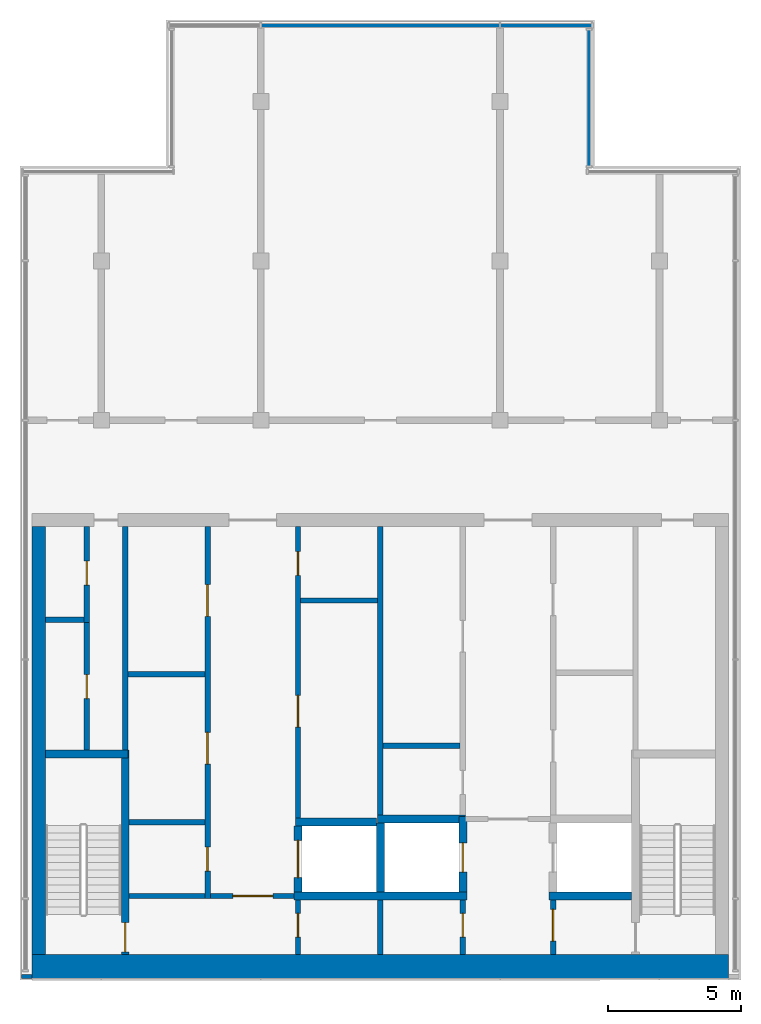
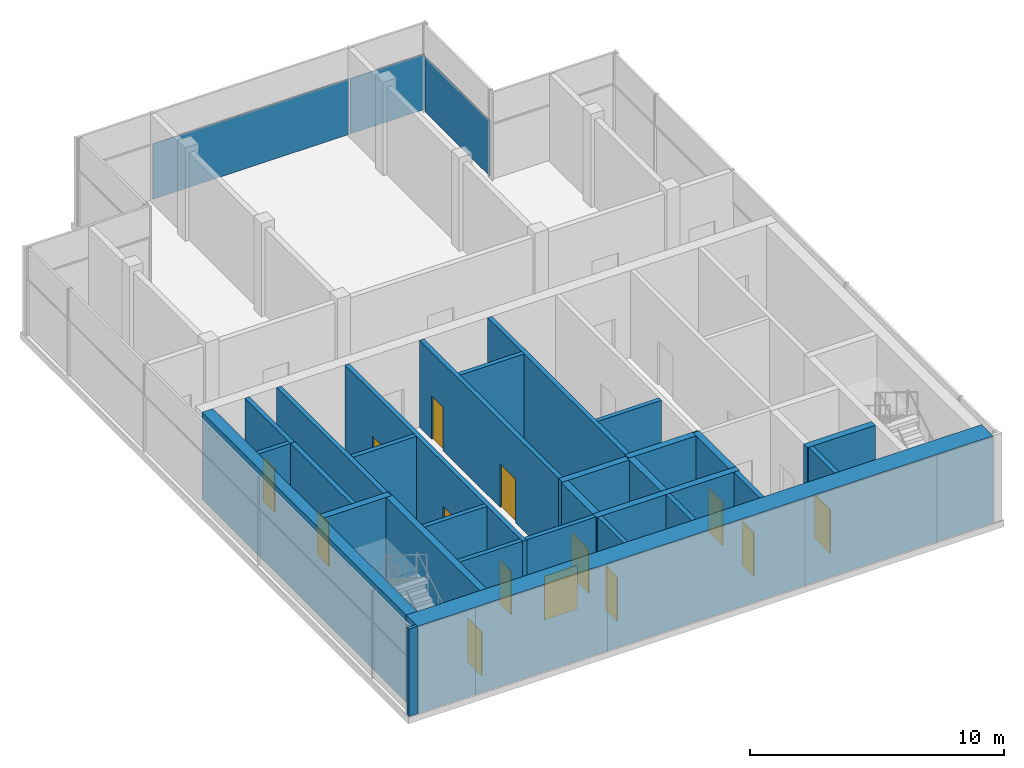
# One storey, part 2 of 5: 29 walls, 14 doors, 3 plates, 14 openings, 2 elements without a shape of their own.
"""IFC4 building model written with IfcOpenShell, lengths in metres."""

import ifcopenshell
import ifcopenshell.guid

model = None  # the IFC model being written
_history = None  # IfcOwnerHistory: only IFC2X3 demands one
_inside = {}  # id of a spatial element -> (the spatial element, [elements in it])
_under = {}  # id of a project, library or spatial element -> (it, [spatial elements below it])
_declared = {}  # id of a project -> (the project, [libraries it declares])
_typed = {}  # id of a type object -> (the type object, [elements of that type])
_made_of = {}  # id of a material, layer set ... -> (it, [elements and type objects made of it])


def new_model(schema):
    """Start an empty IFC model of exactly this schema.

    Asked for "IFC4X3", IfcOpenShell would pick the latest addendum, in which some entities
    have other attributes; the version numbers below select the first issue.
    IFC2X3 requires an IfcOwnerHistory on every rooted entity: one is made here for all.
    """
    global model, _history
    if schema == "IFC4X3":
        model = ifcopenshell.file(schema_version=(4, 3, 0, 0))
    else:
        model = ifcopenshell.file(schema=schema)
    _inside.clear()
    _under.clear()
    _declared.clear()
    _typed.clear()
    _made_of.clear()
    _history = None
    if model.schema == "IFC2X3":
        org = make("IfcOrganization", Name="unknown")
        user = make(
            "IfcPersonAndOrganization",
            ThePerson=make("IfcPerson", FamilyName="unknown"),
            TheOrganization=org,
        )
        app = make(
            "IfcApplication",
            ApplicationDeveloper=org,
            Version="unknown",
            ApplicationFullName="unknown",
            ApplicationIdentifier="unknown",
        )
        _history = make(
            "IfcOwnerHistory",
            OwningUser=user,
            OwningApplication=app,
            ChangeAction="ADDED",
            CreationDate=0,
        )
    return model


def make(cls, **values):
    """One entity of the class cls with the attributes given. An attribute that is None is left unset."""
    return model.create_entity(
        cls, **{name: value for name, value in values.items() if value is not None}
    )


def rooted(cls, **values):
    """An entity with a GlobalId (a new one), such as an element, a storey or a relation."""
    return make(cls, GlobalId=ifcopenshell.guid.new(), OwnerHistory=_history, **values)


def si_unit(unit_type, name, prefix=None):
    """IfcSIUnit, for example si_unit("LENGTHUNIT", "METRE", prefix="MILLI")."""
    return make("IfcSIUnit", UnitType=unit_type, Prefix=prefix, Name=name)


def assignment(units):
    """IfcUnitAssignment: the units of a project."""
    return None if units is None else make("IfcUnitAssignment", Units=units)


def point(xyz):
    """IfcCartesianPoint."""
    return None if xyz is None else make("IfcCartesianPoint", Coordinates=xyz)


def direction(xyz):
    """IfcDirection."""
    return None if xyz is None else make("IfcDirection", DirectionRatios=xyz)


def frame(location, z_axis=None, x_axis=None):
    """IfcAxis2Placement3D, a coordinate frame: its origin and axes. An axis left out is left unset."""
    return make(
        "IfcAxis2Placement3D",
        Location=point(location),
        Axis=direction(z_axis),
        RefDirection=direction(x_axis),
    )


def frame_2d(location, x_axis=None):
    """IfcAxis2Placement2D, a coordinate frame in the plane: its origin and x axis."""
    return make(
        "IfcAxis2Placement2D", Location=point(location), RefDirection=direction(x_axis)
    )


def origin():
    """The frame at (0, 0, 0) with its axes left unset."""
    return frame((0.0, 0.0, 0.0))


def origin_2d():
    """The frame at (0, 0) in the plane with its x axis left unset."""
    return frame_2d((0.0, 0.0))


def place(relative_to, where):
    """IfcLocalPlacement: puts the frame where relative to a parent placement (None: the world)."""
    return make(
        "IfcLocalPlacement", PlacementRelTo=relative_to, RelativePlacement=where
    )


def context(
    kind, dimensions, precision=None, world=None, true_north=None, identifier=None
):
    """IfcGeometricRepresentationContext, for example the 3D "Model" context."""
    return make(
        "IfcGeometricRepresentationContext",
        ContextIdentifier=identifier,
        ContextType=kind,
        CoordinateSpaceDimension=dimensions,
        Precision=precision,
        WorldCoordinateSystem=world,
        TrueNorth=true_north,
    )


def subcontext(parent, identifier, kind, view, scale=None):
    """IfcGeometricRepresentationSubContext, for example "Body" below "Model"."""
    return make(
        "IfcGeometricRepresentationSubContext",
        ContextIdentifier=identifier,
        ContextType=kind,
        ParentContext=parent,
        TargetScale=scale,
        TargetView=view,
    )


def project(units=None, contexts=None):
    """IfcProject with its units and contexts."""
    return rooted(
        "IfcProject",
        Name="project",
        RepresentationContexts=contexts,
        UnitsInContext=assignment(units),
    )


def spatial(cls, under=None, at=None, **own):
    """A site, building, storey or space (cls), placed at a placement, below another one or the project."""
    s = rooted(cls, ObjectPlacement=at, **own)
    if under is not None:
        _under.setdefault(under.id(), (under, []))[1].append(s)
    return s


def profile(cls, at=None, kind="AREA", **sizes):
    """A parametric profile (cls). Its sizes go by their IFC names, for example OverallWidth=200.0."""
    return make(cls, ProfileType=kind, Position=at, **sizes)


def rectangle(**sizes):
    """IfcRectangleProfileDef."""
    return profile("IfcRectangleProfileDef", **sizes)


def extrude(swept, where, along, depth):
    """IfcExtrudedAreaSolid: the profile swept, set in the frame where, extruded along a direction by depth."""
    return make(
        "IfcExtrudedAreaSolid",
        SweptArea=swept,
        Position=where,
        ExtrudedDirection=direction(along),
        Depth=depth,
    )


def shape(context_of_items, identifier, shape_type, items):
    """IfcShapeRepresentation: the items that make up one representation, for example the "Body"."""
    return make(
        "IfcShapeRepresentation",
        ContextOfItems=context_of_items,
        RepresentationIdentifier=identifier,
        RepresentationType=shape_type,
        Items=items,
    )


def material(Name=None, Category=None):
    """IfcMaterial."""
    return make("IfcMaterial", Name=Name, Category=Category)


def layer(
    of_material, thickness, ventilated=None, Name=None, Category=None, Priority=None
):
    """IfcMaterialLayer: one layer of a wall or slab, of a material (None: an air gap)."""
    return make(
        "IfcMaterialLayer",
        Material=of_material,
        LayerThickness=thickness,
        IsVentilated=ventilated,
        Name=Name,
        Category=Category,
        Priority=Priority,
    )


def layer_set(layers, Name=None):
    """IfcMaterialLayerSet."""
    return make("IfcMaterialLayerSet", MaterialLayers=layers, LayerSetName=Name)


def made_of(thing, what):
    """Note that an element or type object is made of a material, layer set ...; save() writes the relation."""
    if what is not None:
        _made_of.setdefault(what.id(), (what, []))[1].append(thing)
    return thing


def type_object(cls, material=None, **own):
    """A type object (cls), such as IfcWallType, which elements share."""
    return made_of(rooted(cls, **own), material)


def element(
    cls,
    number,
    at=None,
    inside=None,
    cuts=None,
    type_object=None,
    material=None,
    context=None,
    identifier="Body",
    shape_type=None,
    held_by="IfcProductDefinitionShape",
    body=None,
    shapes=None,
    **own,
):
    """One element of the class cls, such as IfcWall. Its Tag is "e" and its number.

    at: its placement. inside: the storey or other place that contains it. cuts: it is an
    opening in that element (IfcRelVoidsElement). A single representation is given by context,
    identifier, shape_type and body (its items); several are given by shapes. held_by: the class
    of the entity that holds the representations. save() writes the other relations.
    """
    e = rooted(cls, Tag="e%d" % number, ObjectPlacement=at, **own)
    if body is not None:
        shapes = [shape(context, identifier, shape_type, body)]
    if shapes is not None:
        e.Representation = make(held_by, Representations=shapes)
    if inside is not None:
        _inside.setdefault(inside.id(), (inside, []))[1].append(e)
    if cuts is not None:
        rooted(
            "IfcRelVoidsElement", RelatingBuildingElement=cuts, RelatedOpeningElement=e
        )
    if type_object is not None:
        _typed.setdefault(type_object.id(), (type_object, []))[1].append(e)
    return made_of(e, material)


def fill(opening, filler):
    """IfcRelFillsElement: the door or window that sits in an opening."""
    return rooted(
        "IfcRelFillsElement",
        RelatingOpeningElement=opening,
        RelatedBuildingElement=filler,
    )


def aggregate(whole, parts):
    """IfcRelAggregates: a whole, such as a stair, and the parts it consists of."""
    return rooted("IfcRelAggregates", RelatingObject=whole, RelatedObjects=parts)


def save(model, path):
    """Write the relations noted so far, then the file.

    IfcRelAggregates (storeys below a building ...), IfcRelContainedInSpatialStructure (elements
    in a storey), IfcRelDefinesByType, IfcRelAssociatesMaterial and IfcRelDeclares: one each for
    every whole, place, type object, material and project.
    """
    for whole, parts in _under.values():
        aggregate(whole, parts)
    for where, things in _inside.values():
        rooted(
            "IfcRelContainedInSpatialStructure",
            RelatedElements=things,
            RelatingStructure=where,
        )
    for kind, things in _typed.values():
        rooted("IfcRelDefinesByType", RelatedObjects=things, RelatingType=kind)
    for what, things in _made_of.values():
        rooted("IfcRelAssociatesMaterial", RelatedObjects=things, RelatingMaterial=what)
    for by, libraries in _declared.values():
        rooted("IfcRelDeclares", RelatingContext=by, RelatedDefinitions=libraries)
    model.write(path)


model = new_model("IFC4")

# Units and contexts
model_context = context("Model", 3, precision=1e-05, world=origin(), true_north=direction((0.0, 1.0)))
body_context = subcontext(model_context, "Body", "Model", "MODEL_VIEW")
ifc_project = project(units=[si_unit("LENGTHUNIT", "METRE"), si_unit("AREAUNIT", "SQUARE_METRE"), si_unit("VOLUMEUNIT", "CUBIC_METRE"), si_unit("PLANEANGLEUNIT", "RADIAN"), si_unit("MASSUNIT", "GRAM", prefix="KILO")], contexts=[model_context])

# Site, building, storey
site_placement = place(None, origin())
site = spatial("IfcSite", under=ifc_project, at=site_placement, CompositionType="ELEMENT")
building_placement = place(site_placement, origin())
building = spatial("IfcBuilding", under=site, at=building_placement, Name="Finial Court Residences", CompositionType="ELEMENT")
storey_placement = place(building_placement, frame((0.0, 0.0, 316.699951171875)))
storey = spatial("IfcBuildingStorey", under=building, at=storey_placement, Name="L80", CompositionType="ELEMENT", Elevation=316.699951171875)

# Curtain wall, plates
ifc_material_1 = material(Name="Bronze anodised aluminium", Category="aluminium")
curtain_wall_type = type_object("IfcCurtainWallType", Name="Crown lantern glazing", PredefinedType="NOTDEFINED", material=ifc_material_1)
curtain_wall_1_placement = place(storey_placement, origin())
curtain_wall_1 = element("IfcCurtainWall", 1, at=curtain_wall_1_placement, inside=storey, type_object=curtain_wall_type, Name="E-L80-CW-N3", PredefinedType="NOTDEFINED")
ifc_material_2 = material(Name="Clear low-e glass", Category="glass")
ifc_layer_1 = layer(ifc_material_2, 0.031982421875)
ifc_layer_set_1 = layer_set([ifc_layer_1], Name="CW6 vision glass 32")
plate_type = type_object("IfcPlateType", Name="CW6 vision glass 32", PredefinedType="CURTAIN_PANEL", material=ifc_layer_set_1)
plate_1_placement = place(storey_placement, frame((0.0, 10.35009765625, 0.0), z_axis=(0.0, 0.0, 1.0), x_axis=(1.0, 0.0, 0.0)))
plate_1 = element("IfcPlate", 2, at=plate_1_placement, type_object=plate_type, Name="CW6 glass 2.1", PredefinedType="CURTAIN_PANEL", context=body_context, shape_type="SweptSolid", body=[
    extrude(rectangle(XDim=8.929931640625, YDim=0.031982421875, at=origin_2d()), origin(), (0.0, 0.0, 1.0), 2.6650390625),
])
plate_2_placement = place(storey_placement, frame((6.232421875, 10.35009765625, 0.0), z_axis=(0.0, 0.0, 1.0), x_axis=(1.0, 0.0, 0.0)))
plate_2 = element("IfcPlate", 3, at=plate_2_placement, type_object=plate_type, Name="CW6 glass 3.1", PredefinedType="CURTAIN_PANEL", context=body_context, shape_type="SweptSolid", body=[
    extrude(rectangle(XDim=3.39501953125, YDim=0.031982421875, at=origin_2d()), origin(), (0.0, 0.0, 1.0), 2.6650390625),
])
aggregate(curtain_wall_1, [plate_1, plate_2])

# Curtain wall, plate
curtain_wall_2_placement = place(storey_placement, origin())
curtain_wall_2 = element("IfcCurtainWall", 4, at=curtain_wall_2_placement, inside=storey, type_object=curtain_wall_type, Name="E-L80-CW-E8n", PredefinedType="NOTDEFINED")
plate_3_placement = place(storey_placement, frame((7.85009765625, 7.625, 0.0), z_axis=(0.0, 0.0, 1.0), x_axis=(0.0, 1.0, 0.0)))
plate_3 = element("IfcPlate", 5, at=plate_3_placement, type_object=plate_type, Name="CW6 glass 1.1", PredefinedType="CURTAIN_PANEL", context=body_context, shape_type="SweptSolid", body=[
    extrude(rectangle(XDim=5.110107421875, YDim=0.031982421875, at=origin_2d()), origin(), (0.0, 0.0, 1.0), 2.6650390625),
])
aggregate(curtain_wall_2, [plate_3])

# Walls
ifc_material_3 = material(Name="Concrete C50/60", Category="concrete")
ifc_layer_2 = layer(ifc_material_3, 0.5)
ifc_layer_set_2 = layer_set([ifc_layer_2], Name="Core outer wall 500 Concrete C50/60")
wall_type_1 = type_object("IfcWallType", Name="Core outer wall 500 Concrete C50/60", PredefinedType="SHEAR", material=ifc_layer_set_2)
wall_1_placement = place(storey_placement, frame((-12.85009765625, -24.60009765625, 0.0), z_axis=(0.0, 0.0, 1.0), x_axis=(0.0, 1.0, 0.0)))
element("IfcWall", 6, at=wall_1_placement, inside=storey, type_object=wall_type_1, Name="Core outer wall L80-03", PredefinedType="SHEAR", context=body_context, shape_type="SweptSolid", body=[
    extrude(rectangle(XDim=16.10009765625, YDim=0.5, at=frame_2d((8.050048828125, 0.0))), origin(), (0.0, 0.0, 1.0), 4.199951171875),
])
ifc_layer_3 = layer(ifc_material_3, 0.89990234375)
ifc_layer_set_3 = layer_set([ifc_layer_3], Name="Core south facade wall 900 Concrete C50/60")
wall_type_2 = type_object("IfcWallType", Name="Core south facade wall 900 Concrete C50/60", PredefinedType="SHEAR", material=ifc_layer_set_3)
wall_2_placement = place(storey_placement, frame((-13.10009765625, -25.050048828125, 0.0), z_axis=(0.0, 0.0, 1.0), x_axis=(1.0, 0.0, 0.0)))
element("IfcWall", 7, at=wall_2_placement, inside=storey, type_object=wall_type_2, Name="Core outer wall L80-01", PredefinedType="SHEAR", context=body_context, shape_type="SweptSolid", body=[
    extrude(rectangle(XDim=26.2001953125, YDim=0.89990234375, at=frame_2d((13.10009765625, 0.0))), origin(), (0.0, 0.0, 1.0), 4.199951171875),
])

# Wall, opening, door
ifc_material_4 = material(Name="Fire-rated gypsum board partition")
ifc_layer_4 = layer(ifc_material_4, 0.199951171875)
ifc_layer_set_4 = layer_set([ifc_layer_4], Name="Firefighting lobby wall 200 EI 120")
wall_type_3 = type_object("IfcWallType", Name="Firefighting lobby wall 200 EI 120", PredefinedType="PARTITIONING", material=ifc_layer_set_4)
wall_3_placement = place(storey_placement, frame((3.10009765625, -24.60009765625, 0.0), z_axis=(0.0, 0.0, 1.0), x_axis=(0.0, 1.0, 0.0)))
wall_3 = element("IfcWall", 8, at=wall_3_placement, inside=storey, type_object=wall_type_3, Name="Core partition L80-28", PredefinedType="PARTITIONING", context=body_context, shape_type="SweptSolid", body=[
    extrude(rectangle(XDim=2.050048828125, YDim=0.199951171875, at=frame_2d((1.02490234375, 0.0))), origin(), (0.0, 0.0, 1.0), 4.199951171875),
])
opening_1_placement = place(wall_3_placement, frame((0.64990234375, 0.0, 0.0)))
opening_1 = element("IfcOpeningElement", 9, at=opening_1_placement, cuts=wall_3, Name="Opening L80-C18", PredefinedType="OPENING", context=body_context, shape_type="SweptSolid", body=[
    extrude(rectangle(XDim=0.89990234375, YDim=2.10009765625, at=frame_2d((0.449951171875, 1.050048828125))), frame((0.0, 0.10986328125, 0.0), z_axis=(0.0, -1.0, 0.0), x_axis=(1.0, 0.0, 0.0)), (0.0, 0.0, 1.0), 0.219970703125),
])
ifc_material_5 = material(Name="Steel fire door", Category="steel")
door_type_1 = type_object("IfcDoorType", Name="Riser room door 900 x 2100 EI 90", OperationType="NOTDEFINED", PredefinedType="DOOR", material=ifc_material_5)
door_1_placement = place(opening_1_placement, origin())
door_1 = element("IfcDoor", 10, at=door_1_placement, inside=storey, type_object=door_type_1, Name="Riser room door L80-C18", OperationType="SINGLE_SWING_LEFT", OverallHeight=2.10009765625, OverallWidth=0.89990234375, PredefinedType="DOOR", context=body_context, shape_type="SweptSolid", body=[
    extrude(rectangle(XDim=0.89990234375, YDim=2.10009765625, at=frame_2d((0.449951171875, 1.050048828125))), frame((0.0, 0.02490234375, 0.0), z_axis=(0.0, -1.0, 0.0), x_axis=(1.0, 0.0, 0.0)), (0.0, 0.0, 1.0), 0.050048828125),
])
fill(opening_1, door_1)

wall_4_placement = place(storey_placement, frame((6.5, -22.550048828125, 0.0), z_axis=(0.0, 0.0, 1.0), x_axis=(0.0, -1.0, 0.0)))
wall_4 = element("IfcWall", 11, at=wall_4_placement, inside=storey, type_object=wall_type_3, Name="Core partition L80-31", PredefinedType="PARTITIONING", context=body_context, shape_type="SweptSolid", body=[
    extrude(rectangle(XDim=2.050048828125, YDim=0.199951171875, at=frame_2d((1.02490234375, 0.0))), origin(), (0.0, 0.0, 1.0), 4.199951171875),
])
opening_2_placement = place(wall_4_placement, frame((0.35009765625, 0.0, 0.0)))
opening_2 = element("IfcOpeningElement", 12, at=opening_2_placement, cuts=wall_4, Name="Opening L80-C01", PredefinedType="OPENING", context=body_context, shape_type="SweptSolid", body=[
    extrude(rectangle(XDim=1.199951171875, YDim=2.10009765625, at=frame_2d((0.60009765625, 1.050048828125))), frame((0.0, 0.10986328125, 0.0), z_axis=(0.0, -1.0, 0.0), x_axis=(1.0, 0.0, 0.0)), (0.0, 0.0, 1.0), 0.219970703125),
])
door_type_2 = type_object("IfcDoorType", Name="Firefighting lobby door 1200 x 2100 EI 90", OperationType="NOTDEFINED", PredefinedType="DOOR", material=ifc_material_5)
door_2_placement = place(opening_2_placement, origin())
door_2 = element("IfcDoor", 13, at=door_2_placement, inside=storey, type_object=door_type_2, Name="Firefighting lobby door L80-C01", OperationType="SINGLE_SWING_RIGHT", OverallHeight=2.10009765625, OverallWidth=1.199951171875, PredefinedType="DOOR", context=body_context, shape_type="SweptSolid", body=[
    extrude(rectangle(XDim=1.199951171875, YDim=2.10009765625, at=frame_2d((0.60009765625, 1.050048828125))), frame((0.0, 0.02490234375, 0.0), z_axis=(0.0, -1.0, 0.0), x_axis=(1.0, 0.0, 0.0)), (0.0, 0.0, 1.0), 0.050048828125),
])
fill(opening_2, door_2)

# Walls
ifc_layer_5 = layer(ifc_material_3, 0.300048828125)
ifc_layer_set_5 = layer_set([ifc_layer_5], Name="Lift shaft and stair wall 300 Concrete C50/60")
wall_type_4 = type_object("IfcWallType", Name="Lift shaft and stair wall 300 Concrete C50/60", PredefinedType="SHEAR", material=ifc_layer_set_5)
wall_5_placement = place(storey_placement, frame((-3.25, -22.39990234375, 0.0), z_axis=(0.0, 0.0, 1.0), x_axis=(1.0, 0.0, 0.0)))
element("IfcWall", 14, at=wall_5_placement, inside=storey, type_object=wall_type_4, Name="Core wall L80-03", PredefinedType="SHEAR", context=body_context, shape_type="SweptSolid", body=[
    extrude(rectangle(XDim=6.5, YDim=0.300048828125, at=frame_2d((3.25, 0.0))), origin(), (0.0, 0.0, 1.0), 4.199951171875),
])
wall_6_placement = place(storey_placement, frame((6.35009765625, -22.39990234375, 0.0), z_axis=(0.0, 0.0, 1.0), x_axis=(1.0, 0.0, 0.0)))
element("IfcWall", 15, at=wall_6_placement, inside=storey, type_object=wall_type_4, Name="Core wall L80-04", PredefinedType="SHEAR", context=body_context, shape_type="SweptSolid", body=[
    extrude(rectangle(XDim=3.099853515625, YDim=0.300048828125, at=frame_2d((1.5498046875, 0.0))), origin(), (0.0, 0.0, 1.0), 4.199951171875),
])
wall_7_placement = place(storey_placement, frame((-3.199951171875, -19.6201171875, 0.0), z_axis=(0.0, 0.0, 1.0), x_axis=(1.0, 0.0, 0.0)))
element("IfcWall", 16, at=wall_7_placement, inside=storey, type_object=wall_type_4, Name="Core wall L80-06", PredefinedType="SHEAR", context=body_context, shape_type="SweptSolid", body=[
    extrude(rectangle(XDim=3.050048828125, YDim=0.300048828125, at=frame_2d((1.52490234375, 0.0))), origin(), (0.0, 0.0, 1.0), 4.199951171875),
])
wall_8_placement = place(storey_placement, frame((-0.10009765625, -19.5, 0.0), z_axis=(0.0, 0.0, 1.0), x_axis=(1.0, 0.0, 0.0)))
element("IfcWall", 17, at=wall_8_placement, inside=storey, type_object=wall_type_4, Name="Core wall L80-07", PredefinedType="SHEAR", context=body_context, shape_type="SweptSolid", body=[
    extrude(rectangle(XDim=3.300048828125, YDim=0.300048828125, at=frame_2d((1.64990234375, 0.0))), origin(), (0.0, 0.0, 1.0), 4.199951171875),
])
wall_9_placement = place(storey_placement, frame((-12.60009765625, -17.050048828125, 0.0), z_axis=(0.0, 0.0, 1.0), x_axis=(1.0, 0.0, 0.0)))
element("IfcWall", 18, at=wall_9_placement, inside=storey, type_object=wall_type_4, Name="Core wall L80-10", PredefinedType="SHEAR", context=body_context, shape_type="SweptSolid", body=[
    extrude(rectangle(XDim=3.10009765625, YDim=0.300048828125, at=frame_2d((1.550048828125, 0.0))), origin(), (0.0, 0.0, 1.0), 4.199951171875),
])

# Wall, opening, door
wall_10_placement = place(storey_placement, frame((-9.60009765625, -24.60009765625, 0.0), z_axis=(0.0, 0.0, 1.0), x_axis=(0.0, 1.0, 0.0)))
wall_10 = element("IfcWall", 19, at=wall_10_placement, inside=storey, type_object=wall_type_4, Name="Core wall L80-19", PredefinedType="SHEAR", context=body_context, shape_type="SweptSolid", body=[
    extrude(rectangle(XDim=7.7001953125, YDim=0.300048828125, at=frame_2d((3.85009765625, 0.0))), origin(), (0.0, 0.0, 1.0), 4.199951171875),
])
opening_3_placement = place(wall_10_placement, frame((0.10009765625, 0.0, 0.0)))
opening_3 = element("IfcOpeningElement", 20, at=opening_3_placement, cuts=wall_10, Name="Opening L80-C21", PredefinedType="OPENING", context=body_context, shape_type="SweptSolid", body=[
    extrude(rectangle(XDim=1.10009765625, YDim=2.10009765625, at=frame_2d((0.550048828125, 1.050048828125))), frame((0.0, 0.159912109375, 0.0), z_axis=(0.0, -1.0, 0.0), x_axis=(1.0, 0.0, 0.0)), (0.0, 0.0, 1.0), 0.320068359375),
])
door_type_3 = type_object("IfcDoorType", Name="Stair door 1100 x 2100 EI 90", OperationType="NOTDEFINED", PredefinedType="DOOR", material=ifc_material_5)
door_3_placement = place(opening_3_placement, origin())
door_3 = element("IfcDoor", 21, at=door_3_placement, inside=storey, type_object=door_type_3, Name="Stair door L80-C21", OperationType="SINGLE_SWING_LEFT", OverallHeight=2.10009765625, OverallWidth=1.10009765625, PredefinedType="DOOR", context=body_context, shape_type="SweptSolid", body=[
    extrude(rectangle(XDim=1.10009765625, YDim=2.10009765625, at=frame_2d((0.550048828125, 1.050048828125))), frame((0.0, 0.02490234375, 0.0), z_axis=(0.0, -1.0, 0.0), x_axis=(1.0, 0.0, 0.0)), (0.0, 0.0, 1.0), 0.050048828125),
])
fill(opening_3, door_3)

wall_11_placement = place(storey_placement, frame((-3.10009765625, -22.25, 0.0), z_axis=(0.0, 0.0, 1.0), x_axis=(0.0, 1.0, 0.0)))
wall_11 = element("IfcWall", 22, at=wall_11_placement, inside=storey, type_object=wall_type_4, Name="Core wall L80-23", PredefinedType="SHEAR", context=body_context, shape_type="SweptSolid", body=[
    extrude(rectangle(XDim=2.47998046875, YDim=0.300048828125, at=frame_2d((1.239990234375, 0.0))), origin(), (0.0, 0.0, 1.0), 4.199951171875),
])
opening_4_placement = place(wall_11_placement, frame((0.5400390625, 0.0, 0.0)))
opening_4 = element("IfcOpeningElement", 23, at=opening_4_placement, cuts=wall_11, Name="Opening L80-LD03", PredefinedType="OPENING", context=body_context, shape_type="SweptSolid", body=[
    extrude(rectangle(XDim=1.39990234375, YDim=2.10009765625, at=frame_2d((0.699951171875, 1.050048828125))), frame((0.0, 0.159912109375, 0.0), z_axis=(0.0, -1.0, 0.0), x_axis=(1.0, 0.0, 0.0)), (0.0, 0.0, 1.0), 0.320068359375),
])
ifc_material_6 = material(Name="Stainless steel lift door", Category="steel")
door_type_4 = type_object("IfcDoorType", Name="Lift landing door 1400 x 2100 EI 90", OperationType="DOUBLE_DOOR_SLIDING", PredefinedType="DOOR", material=ifc_material_6)
door_4_placement = place(opening_4_placement, origin())
door_4 = element("IfcDoor", 24, at=door_4_placement, inside=storey, type_object=door_type_4, Name="Lift landing door SV1 L80", OperationType="DOUBLE_DOOR_SLIDING", OverallHeight=2.10009765625, OverallWidth=1.39990234375, PredefinedType="DOOR", context=body_context, shape_type="SweptSolid", body=[
    extrude(rectangle(XDim=1.39990234375, YDim=2.10009765625, at=frame_2d((0.699951171875, 1.050048828125))), frame((0.0, 0.02490234375, 0.0), z_axis=(0.0, -1.0, 0.0), x_axis=(1.0, 0.0, 0.0)), (0.0, 0.0, 1.0), 0.050048828125),
])
fill(opening_4, door_4)

# Wall
wall_12_placement = place(storey_placement, frame((0.0, -22.25, 0.0), z_axis=(0.0, 0.0, 1.0), x_axis=(0.0, 1.0, 0.0)))
element("IfcWall", 25, at=wall_12_placement, inside=storey, type_object=wall_type_4, Name="Core wall L80-26", PredefinedType="SHEAR", context=body_context, shape_type="SweptSolid", body=[
    extrude(rectangle(XDim=2.60009765625, YDim=0.300048828125, at=frame_2d((1.300048828125, 0.0))), origin(), (0.0, 0.0, 1.0), 4.199951171875),
])

# Wall, opening, door
wall_13_placement = place(storey_placement, frame((3.10009765625, -22.25, 0.0), z_axis=(0.0, 0.0, 1.0), x_axis=(0.0, 1.0, 0.0)))
wall_13 = element("IfcWall", 26, at=wall_13_placement, inside=storey, type_object=wall_type_4, Name="Core wall L80-29", PredefinedType="SHEAR", context=body_context, shape_type="SweptSolid", body=[
    extrude(rectangle(XDim=2.85009765625, YDim=0.300048828125, at=frame_2d((1.425048828125, 0.0))), origin(), (0.0, 0.0, 1.0), 4.199951171875),
])
opening_5_placement = place(wall_13_placement, frame((0.75, 0.0, 0.0)))
opening_5 = element("IfcOpeningElement", 27, at=opening_5_placement, cuts=wall_13, Name="Opening L80-LD01", PredefinedType="OPENING", context=body_context, shape_type="SweptSolid", body=[
    extrude(rectangle(XDim=1.10009765625, YDim=2.10009765625, at=frame_2d((0.550048828125, 1.050048828125))), frame((0.0, 0.159912109375, 0.0), z_axis=(0.0, -1.0, 0.0), x_axis=(1.0, 0.0, 0.0)), (0.0, 0.0, 1.0), 0.320068359375),
])
door_type_5 = type_object("IfcDoorType", Name="Lift landing door 1100 x 2100 EI 90", OperationType="DOUBLE_DOOR_SLIDING", PredefinedType="DOOR", material=ifc_material_6)
door_5_placement = place(opening_5_placement, origin())
door_5 = element("IfcDoor", 28, at=door_5_placement, inside=storey, type_object=door_type_5, Name="Lift landing door FF1 L80", OperationType="DOUBLE_DOOR_SLIDING", OverallHeight=2.10009765625, OverallWidth=1.10009765625, PredefinedType="DOOR", context=body_context, shape_type="SweptSolid", body=[
    extrude(rectangle(XDim=1.10009765625, YDim=2.10009765625, at=frame_2d((0.550048828125, 1.050048828125))), frame((0.0, 0.02490234375, 0.0), z_axis=(0.0, -1.0, 0.0), x_axis=(1.0, 0.0, 0.0)), (0.0, 0.0, 1.0), 0.050048828125),
])
fill(opening_5, door_5)

# Walls
ifc_material_7 = material(Name="Natural limestone", Category="masonry")
ifc_layer_6 = layer(ifc_material_7, 0.14990234375)
ifc_layer_set_6 = layer_set([ifc_layer_6], Name="Limestone clad wall 150")
wall_type_5 = type_object("IfcWallType", Name="Limestone clad wall 150", PredefinedType="SOLIDWALL", material=ifc_layer_set_6)
wall_14_placement = place(storey_placement, frame((-13.10009765625, -25.425048828125, 0.0), z_axis=(0.0, 0.0, 1.0), x_axis=(-1.0, 0.0, 0.0)))
element("IfcWall", 29, at=wall_14_placement, inside=storey, type_object=wall_type_5, Name="E-L80-STUBS1", PredefinedType="SOLIDWALL", context=body_context, shape_type="SweptSolid", body=[
    extrude(rectangle(XDim=0.39990234375, YDim=0.14990234375, at=frame_2d((0.199951171875, 0.0))), origin(), (0.0, 0.0, 1.0), 4.199951171875),
])
ifc_layer_7 = layer(ifc_material_4, 0.199951171875)
ifc_layer_set_7 = layer_set([ifc_layer_7], Name="Riser room wall 200 EI 120")
wall_type_6 = type_object("IfcWallType", Name="Riser room wall 200 EI 120", PredefinedType="PARTITIONING", material=ifc_layer_set_7)
for number, where, z_axis, x_axis, name in (
    (30, (-9.449951171875, -22.39990234375, 0.0), (0.0, 0.0, 1.0), (1.0, 0.0, 0.0), "Core partition L80-01"),
    (31, (-9.449951171875, -19.6201171875, 0.0), (0.0, 0.0, 1.0), (1.0, 0.0, 0.0), "Core partition L80-05"),
):
    element("IfcWall", number, at=place(storey_placement, frame(where, z_axis=z_axis, x_axis=x_axis)), inside=storey, type_object=wall_type_6, Name=name, PredefinedType="PARTITIONING", context=body_context, shape_type="SweptSolid", body=[
        extrude(rectangle(XDim=2.849853515625, YDim=0.199951171875, at=frame_2d((1.4248046875, 0.0))), origin(), (0.0, 0.0, 1.0), 4.199951171875),
    ])
for number, where, z_axis, x_axis, name in (
    (32, (0.10009765625, -16.75, 0.0), (0.0, 0.0, 1.0), (1.0, 0.0, 0.0), "Core partition L80-12"),
    (33, (-9.5, -14.06005859375, 0.0), (0.0, 0.0, 1.0), (1.0, 0.0, 0.0), "Core partition L80-13"),
):
    element("IfcWall", number, at=place(storey_placement, frame(where, z_axis=z_axis, x_axis=x_axis)), inside=storey, type_object=wall_type_6, Name=name, PredefinedType="PARTITIONING", context=body_context, shape_type="SweptSolid", body=[
        extrude(rectangle(XDim=2.89990234375, YDim=0.199951171875, at=frame_2d((1.449951171875, 0.0))), origin(), (0.0, 0.0, 1.0), 4.199951171875),
    ])
wall_15_placement = place(storey_placement, frame((-12.60009765625, -12.0, 0.0), z_axis=(0.0, 0.0, 1.0), x_axis=(1.0, 0.0, 0.0)))
element("IfcWall", 34, at=wall_15_placement, inside=storey, type_object=wall_type_6, Name="Core partition L80-15", PredefinedType="PARTITIONING", context=body_context, shape_type="SweptSolid", body=[
    extrude(rectangle(XDim=1.4501953125, YDim=0.199951171875, at=frame_2d((0.72509765625, 0.0))), origin(), (0.0, 0.0, 1.0), 4.199951171875),
])
wall_16_placement = place(storey_placement, frame((-3.0, -11.280029296875, 0.0), z_axis=(0.0, 0.0, 1.0), x_axis=(1.0, 0.0, 0.0)))
element("IfcWall", 35, at=wall_16_placement, inside=storey, type_object=wall_type_6, Name="Core partition L80-16", PredefinedType="PARTITIONING", context=body_context, shape_type="SweptSolid", body=[
    extrude(rectangle(XDim=2.89990234375, YDim=0.199951171875, at=frame_2d((1.449951171875, 0.0))), origin(), (0.0, 0.0, 1.0), 4.199951171875),
])

# Wall, opening, door
wall_17_placement = place(storey_placement, frame((-11.050048828125, -12.10009765625, 0.0), z_axis=(0.0, 0.0, 1.0), x_axis=(0.0, 1.0, 0.0)))
wall_17 = element("IfcWall", 36, at=wall_17_placement, inside=storey, type_object=wall_type_6, Name="Core partition L80-18", PredefinedType="PARTITIONING", context=body_context, shape_type="SweptSolid", body=[
    extrude(rectangle(XDim=3.60009765625, YDim=0.199951171875, at=frame_2d((1.800048828125, 0.0))), origin(), (0.0, 0.0, 1.0), 4.199951171875),
])
opening_6_placement = place(wall_17_placement, frame((1.39990234375, 0.0, 0.0)))
opening_6 = element("IfcOpeningElement", 37, at=opening_6_placement, cuts=wall_17, Name="Opening L80-C06", PredefinedType="OPENING", context=body_context, shape_type="SweptSolid", body=[
    extrude(rectangle(XDim=0.89990234375, YDim=2.10009765625, at=frame_2d((0.449951171875, 1.050048828125))), frame((0.0, 0.10986328125, 0.0), z_axis=(0.0, -1.0, 0.0), x_axis=(1.0, 0.0, 0.0)), (0.0, 0.0, 1.0), 0.219970703125),
])
door_6_placement = place(opening_6_placement, origin())
door_6 = element("IfcDoor", 38, at=door_6_placement, inside=storey, type_object=door_type_1, Name="Riser room door L80-C06", OperationType="SINGLE_SWING_LEFT", OverallHeight=2.10009765625, OverallWidth=0.89990234375, PredefinedType="DOOR", context=body_context, shape_type="SweptSolid", body=[
    extrude(rectangle(XDim=0.89990234375, YDim=2.10009765625, at=frame_2d((0.449951171875, 1.050048828125))), frame((0.0, 0.02490234375, 0.0), z_axis=(0.0, -1.0, 0.0), x_axis=(1.0, 0.0, 0.0)), (0.0, 0.0, 1.0), 0.050048828125),
])
fill(opening_6, door_6)

# Wall
wall_18_placement = place(storey_placement, frame((-9.60009765625, -16.89990234375, 0.0), z_axis=(0.0, 0.0, 1.0), x_axis=(0.0, 1.0, 0.0)))
element("IfcWall", 39, at=wall_18_placement, inside=storey, type_object=wall_type_6, Name="Core partition L80-20", PredefinedType="PARTITIONING", context=body_context, shape_type="SweptSolid", body=[
    extrude(rectangle(XDim=8.39990234375, YDim=0.199951171875, at=frame_2d((4.199951171875, 0.0))), origin(), (0.0, 0.0, 1.0), 4.199951171875),
])

# Wall, openings, doors
wall_19_placement = place(storey_placement, frame((-6.5, -22.5, 0.0), z_axis=(0.0, 0.0, 1.0), x_axis=(0.0, 1.0, 0.0)))
wall_19 = element("IfcWall", 40, at=wall_19_placement, inside=storey, type_object=wall_type_6, Name="Core partition L80-21", PredefinedType="PARTITIONING", context=body_context, shape_type="SweptSolid", body=[
    extrude(rectangle(XDim=14.0, YDim=0.199951171875, at=frame_2d((7.0, 0.0))), origin(), (0.0, 0.0, 1.0), 4.199951171875),
])
opening_7_placement = place(wall_19_placement, frame((1.0400390625, 0.0, 0.0)))
opening_7 = element("IfcOpeningElement", 41, at=opening_7_placement, cuts=wall_19, Name="Opening L80-C07", PredefinedType="OPENING", context=body_context, shape_type="SweptSolid", body=[
    extrude(rectangle(XDim=0.89990234375, YDim=2.10009765625, at=frame_2d((0.449951171875, 1.050048828125))), frame((0.0, 0.10986328125, 0.0), z_axis=(0.0, -1.0, 0.0), x_axis=(1.0, 0.0, 0.0)), (0.0, 0.0, 1.0), 0.219970703125),
])
opening_8_placement = place(wall_19_placement, frame((5.06005859375, 0.0, 0.0)))
opening_8 = element("IfcOpeningElement", 42, at=opening_8_placement, cuts=wall_19, Name="Opening L80-C08", PredefinedType="OPENING", context=body_context, shape_type="SweptSolid", body=[
    extrude(rectangle(XDim=1.199951171875, YDim=2.10009765625, at=frame_2d((0.60009765625, 1.050048828125))), frame((0.0, 0.10986328125, 0.0), z_axis=(0.0, -1.0, 0.0), x_axis=(1.0, 0.0, 0.0)), (0.0, 0.0, 1.0), 0.219970703125),
])
opening_9_placement = place(wall_19_placement, frame((10.6201171875, 0.0, 0.0)))
opening_9 = element("IfcOpeningElement", 43, at=opening_9_placement, cuts=wall_19, Name="Opening L80-C09", PredefinedType="OPENING", context=body_context, shape_type="SweptSolid", body=[
    extrude(rectangle(XDim=1.199951171875, YDim=2.10009765625, at=frame_2d((0.60009765625, 1.050048828125))), frame((0.0, 0.10986328125, 0.0), z_axis=(0.0, -1.0, 0.0), x_axis=(1.0, 0.0, 0.0)), (0.0, 0.0, 1.0), 0.219970703125),
])
door_type_6 = type_object("IfcDoorType", Name="Riser room door 1200 x 2100 EI 90", OperationType="NOTDEFINED", PredefinedType="DOOR", material=ifc_material_5)
door_7_placement = place(opening_8_placement, origin())
door_7 = element("IfcDoor", 44, at=door_7_placement, inside=storey, type_object=door_type_6, Name="Riser room door L80-C08", OperationType="SINGLE_SWING_RIGHT", OverallHeight=2.10009765625, OverallWidth=1.199951171875, PredefinedType="DOOR", context=body_context, shape_type="SweptSolid", body=[
    extrude(rectangle(XDim=1.199951171875, YDim=2.10009765625, at=frame_2d((0.60009765625, 1.050048828125))), frame((0.0, 0.02490234375, 0.0), z_axis=(0.0, -1.0, 0.0), x_axis=(1.0, 0.0, 0.0)), (0.0, 0.0, 1.0), 0.050048828125),
])
fill(opening_8, door_7)
door_8_placement = place(opening_9_placement, origin())
door_8 = element("IfcDoor", 45, at=door_8_placement, inside=storey, type_object=door_type_6, Name="Riser room door L80-C09", OperationType="SINGLE_SWING_RIGHT", OverallHeight=2.10009765625, OverallWidth=1.199951171875, PredefinedType="DOOR", context=body_context, shape_type="SweptSolid", body=[
    extrude(rectangle(XDim=1.199951171875, YDim=2.10009765625, at=frame_2d((0.60009765625, 1.050048828125))), frame((0.0, 0.02490234375, 0.0), z_axis=(0.0, -1.0, 0.0), x_axis=(1.0, 0.0, 0.0)), (0.0, 0.0, 1.0), 0.050048828125),
])
fill(opening_9, door_8)
door_9_placement = place(opening_7_placement, origin())
door_9 = element("IfcDoor", 46, at=door_9_placement, inside=storey, type_object=door_type_1, Name="Riser room door L80-C07", OperationType="SINGLE_SWING_LEFT", OverallHeight=2.10009765625, OverallWidth=0.89990234375, PredefinedType="DOOR", context=body_context, shape_type="SweptSolid", body=[
    extrude(rectangle(XDim=0.89990234375, YDim=2.10009765625, at=frame_2d((0.449951171875, 1.050048828125))), frame((0.0, 0.02490234375, 0.0), z_axis=(0.0, -1.0, 0.0), x_axis=(1.0, 0.0, 0.0)), (0.0, 0.0, 1.0), 0.050048828125),
])
fill(opening_7, door_9)

wall_20_placement = place(storey_placement, frame((-3.10009765625, -8.5, 0.0), z_axis=(0.0, 0.0, 1.0), x_axis=(0.0, -1.0, 0.0)))
wall_20 = element("IfcWall", 47, at=wall_20_placement, inside=storey, type_object=wall_type_6, Name="Core partition L80-24", PredefinedType="PARTITIONING", context=body_context, shape_type="SweptSolid", body=[
    extrude(rectangle(XDim=10.969970703125, YDim=0.199951171875, at=frame_2d((5.48486328125, 0.0))), origin(), (0.0, 0.0, 1.0), 4.199951171875),
])
opening_10_placement = place(wall_20_placement, frame((6.35009765625, 0.0, 0.0)))
opening_10 = element("IfcOpeningElement", 48, at=opening_10_placement, cuts=wall_20, Name="Opening L80-C10", PredefinedType="OPENING", context=body_context, shape_type="SweptSolid", body=[
    extrude(rectangle(XDim=1.199951171875, YDim=2.10009765625, at=frame_2d((0.60009765625, 1.050048828125))), frame((0.0, 0.10986328125, 0.0), z_axis=(0.0, -1.0, 0.0), x_axis=(1.0, 0.0, 0.0)), (0.0, 0.0, 1.0), 0.219970703125),
])
opening_11_placement = place(wall_20_placement, frame((0.93994140625, 0.0, 0.0)))
opening_11 = element("IfcOpeningElement", 49, at=opening_11_placement, cuts=wall_20, Name="Opening L80-C11", PredefinedType="OPENING", context=body_context, shape_type="SweptSolid", body=[
    extrude(rectangle(XDim=0.89990234375, YDim=2.10009765625, at=frame_2d((0.449951171875, 1.050048828125))), frame((0.0, 0.10986328125, 0.0), z_axis=(0.0, -1.0, 0.0), x_axis=(1.0, 0.0, 0.0)), (0.0, 0.0, 1.0), 0.219970703125),
])
door_10_placement = place(opening_10_placement, origin())
door_10 = element("IfcDoor", 50, at=door_10_placement, inside=storey, type_object=door_type_6, Name="Riser room door L80-C10", OperationType="SINGLE_SWING_RIGHT", OverallHeight=2.10009765625, OverallWidth=1.199951171875, PredefinedType="DOOR", context=body_context, shape_type="SweptSolid", body=[
    extrude(rectangle(XDim=1.199951171875, YDim=2.10009765625, at=frame_2d((0.60009765625, 1.050048828125))), frame((0.0, 0.02490234375, 0.0), z_axis=(0.0, -1.0, 0.0), x_axis=(1.0, 0.0, 0.0)), (0.0, 0.0, 1.0), 0.050048828125),
])
fill(opening_10, door_10)
door_11_placement = place(opening_11_placement, origin())
door_11 = element("IfcDoor", 51, at=door_11_placement, inside=storey, type_object=door_type_1, Name="Riser room door L80-C11", OperationType="SINGLE_SWING_RIGHT", OverallHeight=2.10009765625, OverallWidth=0.89990234375, PredefinedType="DOOR", context=body_context, shape_type="SweptSolid", body=[
    extrude(rectangle(XDim=0.89990234375, YDim=2.10009765625, at=frame_2d((0.449951171875, 1.050048828125))), frame((0.0, 0.02490234375, 0.0), z_axis=(0.0, -1.0, 0.0), x_axis=(1.0, 0.0, 0.0)), (0.0, 0.0, 1.0), 0.050048828125),
])
fill(opening_11, door_11)

# Walls
wall_21_placement = place(storey_placement, frame((0.0, -24.60009765625, 0.0), z_axis=(0.0, 0.0, 1.0), x_axis=(0.0, 1.0, 0.0)))
element("IfcWall", 52, at=wall_21_placement, inside=storey, type_object=wall_type_6, Name="Core partition L80-25", PredefinedType="PARTITIONING", context=body_context, shape_type="SweptSolid", body=[
    extrude(rectangle(XDim=2.050048828125, YDim=0.199951171875, at=frame_2d((1.02490234375, 0.0))), origin(), (0.0, 0.0, 1.0), 4.199951171875),
])
wall_22_placement = place(storey_placement, frame((0.0, -19.35009765625, 0.0), z_axis=(0.0, 0.0, 1.0), x_axis=(0.0, 1.0, 0.0)))
element("IfcWall", 53, at=wall_22_placement, inside=storey, type_object=wall_type_6, Name="Core partition L80-27", PredefinedType="PARTITIONING", context=body_context, shape_type="SweptSolid", body=[
    extrude(rectangle(XDim=10.85009765625, YDim=0.199951171875, at=frame_2d((5.425048828125, 0.0))), origin(), (0.0, 0.0, 1.0), 4.199951171875),
])

# Wall, opening, door
ifc_layer_8 = layer(ifc_material_4, 0.199951171875)
ifc_layer_set_8 = layer_set([ifc_layer_8], Name="Stair passage wall 200 EI 180")
wall_type_7 = type_object("IfcWallType", Name="Stair passage wall 200 EI 180", PredefinedType="PARTITIONING", material=ifc_layer_set_8)
wall_23_placement = place(storey_placement, frame((-3.25, -22.39990234375, 0.0), z_axis=(0.0, 0.0, 1.0), x_axis=(-1.0, 0.0, 0.0)))
wall_23 = element("IfcWall", 54, at=wall_23_placement, inside=storey, type_object=wall_type_7, Name="Core partition L80-02", PredefinedType="PARTITIONING", context=body_context, shape_type="SweptSolid", body=[
    extrude(rectangle(XDim=3.14990234375, YDim=0.199951171875, at=frame_2d((1.574951171875, 0.0))), origin(), (0.0, 0.0, 1.0), 4.199951171875),
])
opening_12_placement = place(wall_23_placement, frame((0.800048828125, 0.0, 0.0)))
opening_12 = element("IfcOpeningElement", 55, at=opening_12_placement, cuts=wall_23, Name="Opening L80-C05", PredefinedType="OPENING", context=body_context, shape_type="SweptSolid", body=[
    extrude(rectangle(XDim=1.5, YDim=2.10009765625, at=frame_2d((0.75, 1.050048828125))), frame((0.0, 0.10986328125, 0.0), z_axis=(0.0, -1.0, 0.0), x_axis=(1.0, 0.0, 0.0)), (0.0, 0.0, 1.0), 0.219970703125),
])
door_type_7 = type_object("IfcDoorType", Name="Lift lobby door 1500 x 2100 EI 60", OperationType="DOUBLE_DOOR_SINGLE_SWING", PredefinedType="DOOR", material=ifc_material_5)
door_12_placement = place(opening_12_placement, origin())
door_12 = element("IfcDoor", 56, at=door_12_placement, inside=storey, type_object=door_type_7, Name="Lift lobby door L80-C05", OperationType="DOUBLE_DOOR_SINGLE_SWING", OverallHeight=2.10009765625, OverallWidth=1.5, PredefinedType="DOOR", context=body_context, shape_type="SweptSolid", body=[
    extrude(rectangle(XDim=1.5, YDim=2.10009765625, at=frame_2d((0.75, 1.050048828125))), frame((0.0, 0.02490234375, 0.0), z_axis=(0.0, -1.0, 0.0), x_axis=(1.0, 0.0, 0.0)), (0.0, 0.0, 1.0), 0.050048828125),
])
fill(opening_12, door_12)

wall_24_placement = place(storey_placement, frame((-11.050048828125, -16.89990234375, 0.0), z_axis=(0.0, 0.0, 1.0), x_axis=(0.0, 1.0, 0.0)))
wall_24 = element("IfcWall", 57, at=wall_24_placement, inside=storey, type_object=wall_type_7, Name="Core partition L80-17", PredefinedType="PARTITIONING", context=body_context, shape_type="SweptSolid", body=[
    extrude(rectangle(XDim=5.0, YDim=0.199951171875, at=frame_2d((2.5, 0.0))), origin(), (0.0, 0.0, 1.0), 4.199951171875),
])
opening_13_placement = place(wall_24_placement, frame((1.925048828125, 0.0, 0.0)))
opening_13 = element("IfcOpeningElement", 58, at=opening_13_placement, cuts=wall_24, Name="Opening L80-C20", PredefinedType="OPENING", context=body_context, shape_type="SweptSolid", body=[
    extrude(rectangle(XDim=0.89990234375, YDim=2.10009765625, at=frame_2d((0.449951171875, 1.050048828125))), frame((0.0, 0.10986328125, 0.0), z_axis=(0.0, -1.0, 0.0), x_axis=(1.0, 0.0, 0.0)), (0.0, 0.0, 1.0), 0.219970703125),
])
door_type_8 = type_object("IfcDoorType", Name="Core room door 900 x 2100 EI 60", OperationType="NOTDEFINED", PredefinedType="DOOR", material=ifc_material_5)
door_13_placement = place(opening_13_placement, origin())
door_13 = element("IfcDoor", 59, at=door_13_placement, inside=storey, type_object=door_type_8, Name="Core room door L80-C20", OperationType="SINGLE_SWING_LEFT", OverallHeight=2.10009765625, OverallWidth=0.89990234375, PredefinedType="DOOR", context=body_context, shape_type="SweptSolid", body=[
    extrude(rectangle(XDim=0.89990234375, YDim=2.10009765625, at=frame_2d((0.449951171875, 1.050048828125))), frame((0.0, 0.02490234375, 0.0), z_axis=(0.0, -1.0, 0.0), x_axis=(1.0, 0.0, 0.0)), (0.0, 0.0, 1.0), 0.050048828125),
])
fill(opening_13, door_13)

wall_25_placement = place(storey_placement, frame((-3.10009765625, -22.550048828125, 0.0), z_axis=(0.0, 0.0, 1.0), x_axis=(0.0, -1.0, 0.0)))
wall_25 = element("IfcWall", 60, at=wall_25_placement, inside=storey, type_object=wall_type_7, Name="Core partition L80-22", PredefinedType="PARTITIONING", context=body_context, shape_type="SweptSolid", body=[
    extrude(rectangle(XDim=2.050048828125, YDim=0.199951171875, at=frame_2d((1.02490234375, 0.0))), origin(), (0.0, 0.0, 1.0), 4.199951171875),
])
opening_14_placement = place(wall_25_placement, frame((0.5, 0.0, 0.0)))
opening_14 = element("IfcOpeningElement", 61, at=opening_14_placement, cuts=wall_25, Name="Opening L80-C19", PredefinedType="OPENING", context=body_context, shape_type="SweptSolid", body=[
    extrude(rectangle(XDim=0.89990234375, YDim=2.10009765625, at=frame_2d((0.449951171875, 1.050048828125))), frame((0.0, 0.10986328125, 0.0), z_axis=(0.0, -1.0, 0.0), x_axis=(1.0, 0.0, 0.0)), (0.0, 0.0, 1.0), 0.219970703125),
])
door_14_placement = place(opening_14_placement, origin())
door_14 = element("IfcDoor", 62, at=door_14_placement, inside=storey, type_object=door_type_8, Name="Core room door L80-C19", OperationType="SINGLE_SWING_RIGHT", OverallHeight=2.10009765625, OverallWidth=0.89990234375, PredefinedType="DOOR", context=body_context, shape_type="SweptSolid", body=[
    extrude(rectangle(XDim=0.89990234375, YDim=2.10009765625, at=frame_2d((0.449951171875, 1.050048828125))), frame((0.0, 0.02490234375, 0.0), z_axis=(0.0, -1.0, 0.0), x_axis=(1.0, 0.0, 0.0)), (0.0, 0.0, 1.0), 0.050048828125),
])
fill(opening_14, door_14)

save(model, "model.ifc")
